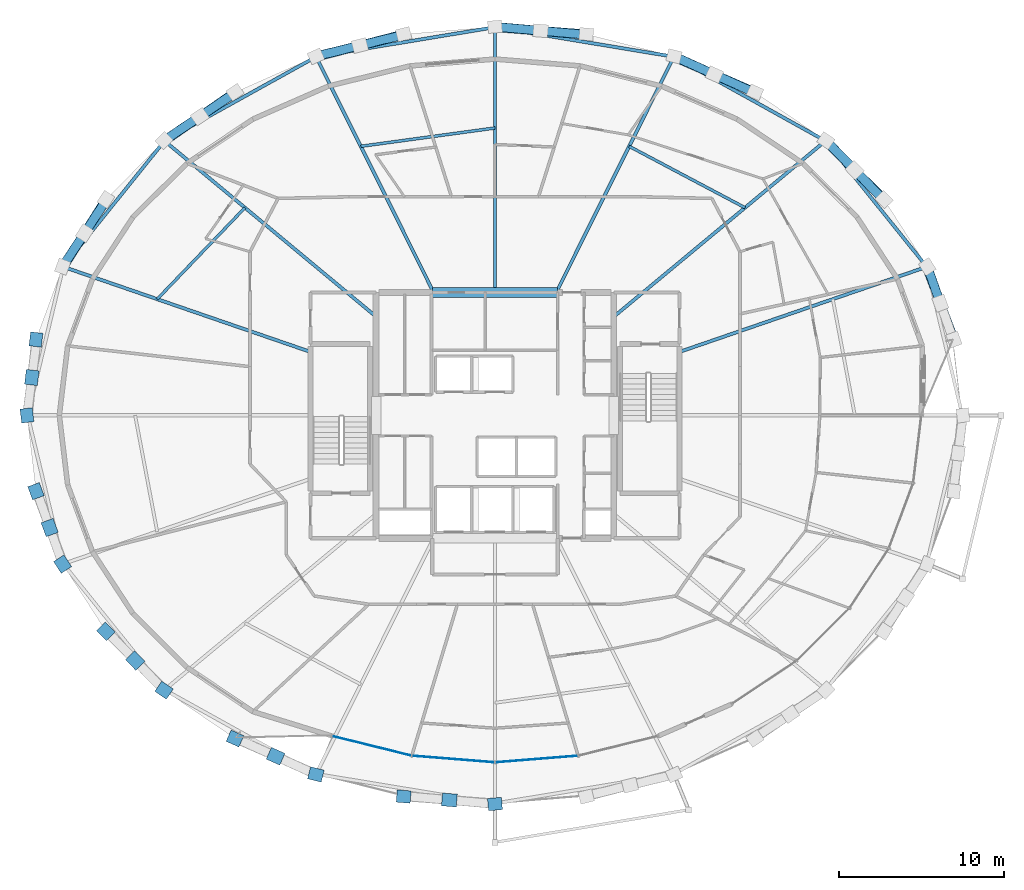
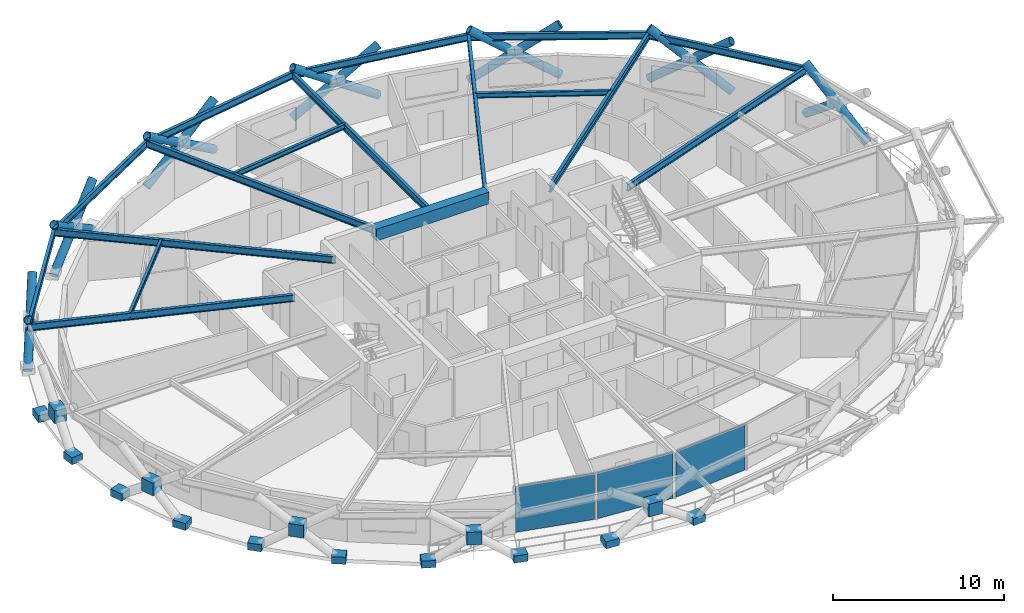
# One storey, part 13 of 22: 20 members, 18 plates, 17 beams, 1 element without a shape of its own.
"""IFC4 building model written with IfcOpenShell, lengths in metres."""

from ifc_helpers import new_model, si_unit, direction, frame, origin, origin_2d, place, context, subcontext, project, spatial, rectangle, hollow_circle, i_section, extrude, material, layer, layer_set, material_profile, profile_set, type_object, element, aggregate, save


model = new_model("IFC4")

# Units and contexts
model_context = context("Model", 3, precision=1e-05, world=origin(), true_north=direction((0.0, 1.0)))
body_context = subcontext(model_context, "Body", "Model", "MODEL_VIEW")
ifc_project = project(units=[si_unit("LENGTHUNIT", "METRE"), si_unit("AREAUNIT", "SQUARE_METRE"), si_unit("VOLUMEUNIT", "CUBIC_METRE"), si_unit("PLANEANGLEUNIT", "RADIAN"), si_unit("MASSUNIT", "GRAM", prefix="KILO")], contexts=[model_context])

# Site, building, storey
site_placement = place(None, origin())
site = spatial("IfcSite", under=ifc_project, at=site_placement, CompositionType="ELEMENT")
building_placement = place(site_placement, origin())
building = spatial("IfcBuilding", under=site, at=building_placement, Name="Veldorina Hangang Commons", CompositionType="ELEMENT")
storey_placement = place(building_placement, frame((0.0, 0.0, 146.0)))
storey = spatial("IfcBuildingStorey", under=building, at=storey_placement, Name="L37", CompositionType="ELEMENT", Elevation=146.0)

# Beams
ifc_material_1 = material(Name="Concrete C60/75", Category="concrete")
ifc_material_profile_1 = material_profile(ifc_material_1, rectangle(XDim=0.60009765625, YDim=0.85009765625, at=origin_2d()), Name="RC-CB-600x850")
ifc_profile_set_1 = profile_set([ifc_material_profile_1], Name="Concrete C60/75")
beam_type_1 = type_object("IfcBeamType", Name="BM-CB850", PredefinedType="LINTEL", material=ifc_profile_set_1)
beam_1_placement = place(storey_placement, frame((28.199951171875, 31.449951171875, 2.925048828125), z_axis=(1.0, 0.0, 0.0), x_axis=(0.0, 1.0, 0.0)))
element("IfcBeam", 1, at=beam_1_placement, inside=storey, type_object=beam_type_1, Name="L37 north core coupling beam", PredefinedType="LINTEL", context=body_context, shape_type="SweptSolid", body=[
    extrude(rectangle(XDim=0.60009765625, YDim=0.85009765625, at=origin_2d()), origin(), (0.0, 0.0, 1.0), 7.60009765625),
])
ifc_material_2 = material(Name="Steel SM420-TMC", Category="steel")
ifc_material_profile_2 = material_profile(ifc_material_2, i_section(OverallWidth=0.199951171875, OverallDepth=0.5, WebThickness=0.010009765625, FlangeThickness=0.01611328125, FilletRadius=0.01611328125, at=origin_2d()), Name="H-500x200x10x16")
ifc_profile_set_2 = profile_set([ifc_material_profile_2], Name="Steel SM420-TMC")
beam_type_2 = type_object("IfcBeamType", Name="BM-FG500", PredefinedType="BEAM", material=ifc_profile_set_2)
beam_2_placement = place(storey_placement, frame((43.179931640625, 27.846435546875, 3.10009765625), z_axis=(0.945598858352, 0.32533490296, 0.0), x_axis=(-0.32533490296, 0.945598858352, 0.0)))
element("IfcBeam", 2, at=beam_2_placement, inside=storey, type_object=beam_type_2, Name="L37 radial floor girder 02", PredefinedType="BEAM", context=body_context, shape_type="SweptSolid", body=[
    extrude(i_section(OverallWidth=0.199951171875, OverallDepth=0.5, WebThickness=0.010009765625, FlangeThickness=0.01611328125, FilletRadius=0.01611328125, at=origin_2d()), origin(), (0.0, 0.0, 1.0), 15.858154296875),
])
beam_3_placement = place(storey_placement, frame((39.199951171875, 29.980224609375, 3.10009765625), z_axis=(0.769255437361, 0.638941368274, 0.0), x_axis=(-0.638941368274, 0.769255437361, 0.0)))
element("IfcBeam", 3, at=beam_3_placement, inside=storey, type_object=beam_type_2, Name="L37 radial floor girder 03", PredefinedType="BEAM", context=body_context, shape_type="SweptSolid", body=[
    extrude(i_section(OverallWidth=0.199951171875, OverallDepth=0.5, WebThickness=0.010009765625, FlangeThickness=0.01611328125, FilletRadius=0.01611328125, at=origin_2d()), origin(), (0.0, 0.0, 1.0), 16.683349609375),
])
beam_4_placement = place(storey_placement, frame((35.71533203125, 31.449951171875, 3.10009765625), z_axis=(0.446283850787, 0.894891459635, 0.0), x_axis=(-0.894891459635, 0.446283850787, 0.0)))
element("IfcBeam", 4, at=beam_4_placement, inside=storey, type_object=beam_type_2, Name="L37 radial floor girder 04", PredefinedType="BEAM", context=body_context, shape_type="SweptSolid", body=[
    extrude(i_section(OverallWidth=0.199951171875, OverallDepth=0.5, WebThickness=0.010009765625, FlangeThickness=0.01611328125, FilletRadius=0.01611328125, at=origin_2d()), origin(), (0.0, 0.0, 1.0), 15.969482421875),
])
beam_5_placement = place(storey_placement, frame((32.0, 31.449951171875, 3.10009765625), z_axis=(0.0, 1.0, 0.0), x_axis=(-1.0, 0.0, 0.0)))
element("IfcBeam", 5, at=beam_5_placement, inside=storey, type_object=beam_type_2, Name="L37 radial floor girder 05", PredefinedType="BEAM", context=body_context, shape_type="SweptSolid", body=[
    extrude(i_section(OverallWidth=0.199951171875, OverallDepth=0.5, WebThickness=0.010009765625, FlangeThickness=0.01611328125, FilletRadius=0.01611328125, at=origin_2d()), origin(), (0.0, 0.0, 1.0), 16.082275390625),
])
beam_6_placement = place(storey_placement, frame((28.28466796875, 31.449951171875, 3.10009765625), z_axis=(-0.446283850787, 0.894891459635, 0.0), x_axis=(-0.894891459635, -0.446283850787, 0.0)))
element("IfcBeam", 6, at=beam_6_placement, inside=storey, type_object=beam_type_2, Name="L37 radial floor girder 06", PredefinedType="BEAM", context=body_context, shape_type="SweptSolid", body=[
    extrude(i_section(OverallWidth=0.199951171875, OverallDepth=0.5, WebThickness=0.010009765625, FlangeThickness=0.01611328125, FilletRadius=0.01611328125, at=origin_2d()), origin(), (0.0, 0.0, 1.0), 15.969482421875),
])
beam_7_placement = place(storey_placement, frame((24.800048828125, 29.980224609375, 3.10009765625), z_axis=(-0.769255437361, 0.638941368274, 0.0), x_axis=(-0.638941368274, -0.769255437361, 0.0)))
element("IfcBeam", 7, at=beam_7_placement, inside=storey, type_object=beam_type_2, Name="L37 radial floor girder 07", PredefinedType="BEAM", context=body_context, shape_type="SweptSolid", body=[
    extrude(i_section(OverallWidth=0.199951171875, OverallDepth=0.5, WebThickness=0.010009765625, FlangeThickness=0.01611328125, FilletRadius=0.01611328125, at=origin_2d()), origin(), (0.0, 0.0, 1.0), 16.683349609375),
])
beam_8_placement = place(storey_placement, frame((20.820068359375, 27.846435546875, 3.10009765625), z_axis=(-0.945598858352, 0.32533490296, 0.0), x_axis=(-0.32533490296, -0.945598858352, 0.0)))
element("IfcBeam", 8, at=beam_8_placement, inside=storey, type_object=beam_type_2, Name="L37 radial floor girder 08", PredefinedType="BEAM", context=body_context, shape_type="SweptSolid", body=[
    extrude(i_section(OverallWidth=0.199951171875, OverallDepth=0.5, WebThickness=0.010009765625, FlangeThickness=0.01611328125, FilletRadius=0.01611328125, at=origin_2d()), origin(), (0.0, 0.0, 1.0), 15.858154296875),
])
ifc_material_3 = material(Name="Steel SM355-TMC", Category="steel")
ifc_material_profile_3 = material_profile(ifc_material_3, i_section(OverallWidth=0.175048828125, OverallDepth=0.35009765625, WebThickness=0.007080078125, FlangeThickness=0.010986328125, FilletRadius=0.012939453125, at=origin_2d()), Name="H-350x175x7x11")
ifc_profile_set_3 = profile_set([ifc_material_profile_3], Name="Steel SM355-TMC")
beam_type_3 = type_object("IfcBeamType", Name="BM-JST350", PredefinedType="JOIST", material=ifc_profile_set_3)
beam_9_placement = place(storey_placement, frame((47.156982421875, 36.58935546875, 3.175048828125), z_axis=(-0.883636189026, 0.468174204163, 0.0), x_axis=(-0.468174204163, -0.883636189026, 0.0)))
element("IfcBeam", 9, at=beam_9_placement, inside=storey, type_object=beam_type_3, Name="L37 secondary floor joist 03", PredefinedType="JOIST", context=body_context, shape_type="SweptSolid", body=[
    extrude(i_section(OverallWidth=0.175048828125, OverallDepth=0.35009765625, WebThickness=0.007080078125, FlangeThickness=0.010986328125, FilletRadius=0.012939453125, at=origin_2d()), origin(), (0.0, 0.0, 1.0), 7.94775390625),
])
beam_10_placement = place(storey_placement, frame((32.0, 41.4208984375, 3.175048828125), z_axis=(-0.990807170996, -0.13528174268, 0.0), x_axis=(0.13528174268, -0.990807170996, 0.0)))
element("IfcBeam", 10, at=beam_10_placement, inside=storey, type_object=beam_type_3, Name="L37 secondary floor joist 05", PredefinedType="JOIST", context=body_context, shape_type="SweptSolid", body=[
    extrude(i_section(OverallWidth=0.175048828125, OverallDepth=0.35009765625, WebThickness=0.007080078125, FlangeThickness=0.010986328125, FilletRadius=0.012939453125, at=origin_2d()), origin(), (0.0, 0.0, 1.0), 8.20947265625),
])
beam_11_placement = place(storey_placement, frame((16.843017578125, 36.58935546875, 3.175048828125), z_axis=(-0.692356542622, -0.721555554263, 0.0), x_axis=(0.721555554263, -0.692356542622, 0.0)))
element("IfcBeam", 11, at=beam_11_placement, inside=storey, type_object=beam_type_3, Name="L37 secondary floor joist 07", PredefinedType="JOIST", context=body_context, shape_type="SweptSolid", body=[
    extrude(i_section(OverallWidth=0.175048828125, OverallDepth=0.35009765625, WebThickness=0.007080078125, FlangeThickness=0.010986328125, FilletRadius=0.012939453125, at=origin_2d()), origin(), (0.0, 0.0, 1.0), 7.68408203125),
])
ifc_material_profile_4 = material_profile(ifc_material_2, i_section(OverallWidth=0.199951171875, OverallDepth=0.5, WebThickness=0.010009765625, FlangeThickness=0.01611328125, FilletRadius=0.01611328125, at=origin_2d()), Name="H-500x200x10x16")
ifc_profile_set_4 = profile_set([ifc_material_profile_4], Name="Steel SM420-TMC")
beam_type_4 = type_object("IfcBeamType", Name="BM-RB500", PredefinedType="BEAM", material=ifc_profile_set_4)
beam_12_placement = place(storey_placement, frame((58.17529296875, 33.005615234375, 3.10009765625), z_axis=(-0.626819817202, 0.779164242483, 0.0), x_axis=(-0.779164242483, -0.626819817202, 0.0)))
element("IfcBeam", 12, at=beam_12_placement, inside=storey, type_object=beam_type_4, Name="L37 perimeter hoop ring beam 02", PredefinedType="BEAM", context=body_context, shape_type="SweptSolid", body=[
    extrude(i_section(OverallWidth=0.199951171875, OverallDepth=0.5, WebThickness=0.010009765625, FlangeThickness=0.01611328125, FilletRadius=0.01611328125, at=origin_2d()), origin(), (0.0, 0.0, 1.0), 9.798095703125),
])
beam_13_placement = place(storey_placement, frame((52.03369140625, 40.639892578125, 3.10009765625), z_axis=(-0.87436972184, 0.485260331708, 0.0), x_axis=(-0.485260331708, -0.87436972184, 0.0)))
element("IfcBeam", 13, at=beam_13_placement, inside=storey, type_object=beam_type_4, Name="L37 perimeter hoop ring beam 04", PredefinedType="BEAM", context=body_context, shape_type="SweptSolid", body=[
    extrude(i_section(OverallWidth=0.199951171875, OverallDepth=0.5, WebThickness=0.010009765625, FlangeThickness=0.01611328125, FilletRadius=0.01611328125, at=origin_2d()), origin(), (0.0, 0.0, 1.0), 10.511962890625),
])
for number, where, z_axis, x_axis, name in (
    (14, (42.84228515625, 45.740966796875, 3.10009765625), (-0.986625904332, 0.163000996624, 0.0), (-0.163000996624, -0.986625904332, 0.0), "L37 perimeter hoop ring beam 06"),
    (15, (32.0, 47.5322265625, 3.10009765625), (-0.986625904332, -0.163000996624, 0.0), (0.163000996624, -0.986625904332, 0.0), "L37 perimeter hoop ring beam 08"),
):
    element("IfcBeam", number, at=place(storey_placement, frame(where, z_axis=z_axis, x_axis=x_axis)), inside=storey, type_object=beam_type_4, Name=name, PredefinedType="BEAM", context=body_context, shape_type="SweptSolid", body=[
        extrude(i_section(OverallWidth=0.199951171875, OverallDepth=0.5, WebThickness=0.010009765625, FlangeThickness=0.01611328125, FilletRadius=0.01611328125, at=origin_2d()), origin(), (0.0, 0.0, 1.0), 10.9892578125),
    ])
beam_14_placement = place(storey_placement, frame((21.15771484375, 45.740966796875, 3.10009765625), z_axis=(-0.87436972184, -0.485260331708, 0.0), x_axis=(0.485260331708, -0.87436972184, 0.0)))
element("IfcBeam", 16, at=beam_14_placement, inside=storey, type_object=beam_type_4, Name="L37 perimeter hoop ring beam 10", PredefinedType="BEAM", context=body_context, shape_type="SweptSolid", body=[
    extrude(i_section(OverallWidth=0.199951171875, OverallDepth=0.5, WebThickness=0.010009765625, FlangeThickness=0.01611328125, FilletRadius=0.01611328125, at=origin_2d()), origin(), (0.0, 0.0, 1.0), 10.511962890625),
])
beam_15_placement = place(storey_placement, frame((11.96630859375, 40.639892578125, 3.10009765625), z_axis=(-0.626819817202, -0.779164242483, 0.0), x_axis=(0.779164242483, -0.626819817202, 0.0)))
element("IfcBeam", 17, at=beam_15_placement, inside=storey, type_object=beam_type_4, Name="L37 perimeter hoop ring beam 12", PredefinedType="BEAM", context=body_context, shape_type="SweptSolid", body=[
    extrude(i_section(OverallWidth=0.199951171875, OverallDepth=0.5, WebThickness=0.010009765625, FlangeThickness=0.01611328125, FilletRadius=0.01611328125, at=origin_2d()), origin(), (0.0, 0.0, 1.0), 9.798095703125),
])

# Members
ifc_material_profile_5 = material_profile(ifc_material_2, hollow_circle(Radius=0.27490234375, WallThickness=0.028076171875, at=origin_2d()), Name="CHS-550x28")
ifc_profile_set_5 = profile_set([ifc_material_profile_5], Name="Steel SM420-TMC")
member_type = type_object("IfcMemberType", Name="DG-CHS550", PredefinedType="BRACE", material=ifc_profile_set_5)
member_1_placement = place(storey_placement, frame((59.825439453125, 28.59619140625, 0.0), z_axis=(-0.27935569244, 0.743657869555, 0.607398855902), x_axis=(-0.936128721787, -0.351657526928, 0.0)))
element("IfcMember", 18, at=member_1_placement, inside=storey, type_object=member_type, Name="L37 continuous perimeter diagrid brace 01", PredefinedType="BRACE", context=body_context, shape_type="SweptSolid", body=[
    extrude(hollow_circle(Radius=0.27490234375, WallThickness=0.028076171875, at=origin_2d()), origin(), (0.0, 0.0, 1.0), 5.927001953125),
])
member_2_placement = place(storey_placement, frame((58.2109375, 33.015869140625, 0.0), z_axis=(0.265442903546, -0.747923931396, 0.608399422915), x_axis=(0.942407673637, 0.334466405892, 0.0)))
element("IfcMember", 19, at=member_2_placement, inside=storey, type_object=member_type, Name="L37 split perimeter diagrid lower brace 02", PredefinedType="BRACE", context=body_context, shape_type="SweptSolid", body=[
    extrude(hollow_circle(Radius=0.27490234375, WallThickness=0.028076171875, at=origin_2d()), origin(), (0.0, 0.0, 1.0), 2.960693359375),
])
member_3_placement = place(storey_placement, frame((55.589111328125, 37.0888671875, 0.0), z_axis=(-0.575811982337, 0.57387694447, 0.582327926174), x_axis=(-0.705915652093, -0.708295907182, 0.0)))
element("IfcMember", 20, at=member_3_placement, inside=storey, type_object=member_type, Name="L37 continuous perimeter diagrid brace 03", PredefinedType="BRACE", context=body_context, shape_type="SweptSolid", body=[
    extrude(hollow_circle(Radius=0.27490234375, WallThickness=0.028076171875, at=origin_2d()), origin(), (0.0, 0.0, 1.0), 6.182373046875),
])
member_4_placement = place(storey_placement, frame((52.06103515625, 40.658935546875, 0.0), z_axis=(0.566271238498, -0.581781182985, 0.5838386246), x_axis=(0.716594252296, 0.697490270597, 0.0)))
element("IfcMember", 21, at=member_4_placement, inside=storey, type_object=member_type, Name="L37 split perimeter diagrid lower brace 04", PredefinedType="BRACE", context=body_context, shape_type="SweptSolid", body=[
    extrude(hollow_circle(Radius=0.27490234375, WallThickness=0.028076171875, at=origin_2d()), origin(), (0.0, 0.0, 1.0), 3.085205078125),
])
member_5_placement = place(storey_placement, frame((53.80810546875, 38.864013671875, 1.80126953125), z_axis=(0.566094430147, -0.581865505549, 0.583926048064), x_axis=(0.716753623988, 0.697326496342, 0.0)))
element("IfcMember", 22, at=member_5_placement, inside=storey, type_object=member_type, Name="L37 split perimeter diagrid upper brace 04", PredefinedType="BRACE", context=body_context, shape_type="SweptSolid", body=[
    extrude(hollow_circle(Radius=0.27490234375, WallThickness=0.028076171875, at=origin_2d()), origin(), (0.0, 0.0, 1.0), 3.08056640625),
])
member_6_placement = place(storey_placement, frame((47.76171875, 43.5888671875, 0.0), z_axis=(-0.761273873563, 0.332264326065, 0.556832566446), x_axis=(-0.400017362617, -0.916507561128, 0.0)))
element("IfcMember", 23, at=member_6_placement, inside=storey, type_object=member_type, Name="L37 continuous perimeter diagrid brace 05", PredefinedType="BRACE", context=body_context, shape_type="SweptSolid", body=[
    extrude(hollow_circle(Radius=0.27490234375, WallThickness=0.028076171875, at=origin_2d()), origin(), (0.0, 0.0, 1.0), 6.46533203125),
])
member_7_placement = place(storey_placement, frame((42.85693359375, 45.76611328125, 0.0), z_axis=(0.756350586302, -0.341424004914, 0.557999497732), x_axis=(0.411432897508, 0.911440053349, 0.0)))
element("IfcMember", 24, at=member_7_placement, inside=storey, type_object=member_type, Name="L37 split perimeter diagrid lower brace 06", PredefinedType="BRACE", context=body_context, shape_type="SweptSolid", body=[
    extrude(hollow_circle(Radius=0.27490234375, WallThickness=0.028076171875, at=origin_2d()), origin(), (0.0, 0.0, 1.0), 3.228515625),
])
member_8_placement = place(storey_placement, frame((45.298828125, 44.663818359375, 1.801513671875), z_axis=(0.756345783216, -0.341555970993, 0.557925241309), x_axis=(0.411567161717, 0.911379433275, 0.0)))
element("IfcMember", 25, at=member_8_placement, inside=storey, type_object=member_type, Name="L37 split perimeter diagrid upper brace 06", PredefinedType="BRACE", context=body_context, shape_type="SweptSolid", body=[
    extrude(hollow_circle(Radius=0.27490234375, WallThickness=0.028076171875, at=origin_2d()), origin(), (0.0, 0.0, 1.0), 3.2236328125),
])
member_9_placement = place(storey_placement, frame((37.534912109375, 47.106689453125, 0.0), z_axis=(-0.836575195499, 0.063690564485, 0.54413734872), x_axis=(-0.075912820592, -0.99711445866, 0.0)))
element("IfcMember", 26, at=member_9_placement, inside=storey, type_object=member_type, Name="L37 continuous perimeter diagrid brace 07", PredefinedType="BRACE", context=body_context, shape_type="SweptSolid", body=[
    extrude(hollow_circle(Radius=0.27490234375, WallThickness=0.028076171875, at=origin_2d()), origin(), (0.0, 0.0, 1.0), 6.6162109375),
])
member_10_placement = place(storey_placement, frame((32.0, 47.559326171875, 0.0), z_axis=(0.835622568837, -0.073115130295, 0.544416293082), x_axis=(0.087164768079, 0.996193908436, 0.0)))
element("IfcMember", 27, at=member_10_placement, inside=storey, type_object=member_type, Name="L37 split perimeter diagrid lower brace 08", PredefinedType="BRACE", context=body_context, shape_type="SweptSolid", body=[
    extrude(hollow_circle(Radius=0.27490234375, WallThickness=0.028076171875, at=origin_2d()), origin(), (0.0, 0.0, 1.0), 3.30908203125),
])
member_11_placement = place(storey_placement, frame((34.76513671875, 47.3173828125, 1.801513671875), z_axis=(0.835655953152, -0.073080178413, 0.544369741522), x_axis=(0.087119962131, 0.996197827843, 0.0)))
element("IfcMember", 28, at=member_11_placement, inside=storey, type_object=member_type, Name="L37 split perimeter diagrid upper brace 08", PredefinedType="BRACE", context=body_context, shape_type="SweptSolid", body=[
    extrude(hollow_circle(Radius=0.27490234375, WallThickness=0.028076171875, at=origin_2d()), origin(), (0.0, 0.0, 1.0), 3.303955078125),
])
member_12_placement = place(storey_placement, frame((26.465087890625, 47.106689453125, 0.0), z_axis=(-0.809193179875, -0.208917747669, 0.549144582376), x_axis=(0.249983136322, -0.968250190578, 0.0)))
element("IfcMember", 29, at=member_12_placement, inside=storey, type_object=member_type, Name="L37 continuous perimeter diagrid brace 09", PredefinedType="BRACE", context=body_context, shape_type="SweptSolid", body=[
    extrude(hollow_circle(Radius=0.27490234375, WallThickness=0.028076171875, at=origin_2d()), origin(), (0.0, 0.0, 1.0), 6.555908203125),
])
member_13_placement = place(storey_placement, frame((21.14306640625, 45.76611328125, 0.0), z_axis=(0.812053707218, 0.199483081656, 0.548429828443), x_axis=(-0.238560030043, 0.971127752701, 0.0)))
element("IfcMember", 30, at=member_13_placement, inside=storey, type_object=member_type, Name="L37 split perimeter diagrid lower brace 10", PredefinedType="BRACE", context=body_context, shape_type="SweptSolid", body=[
    extrude(hollow_circle(Radius=0.27490234375, WallThickness=0.028076171875, at=origin_2d()), origin(), (0.0, 0.0, 1.0), 3.284912109375),
])
member_14_placement = place(storey_placement, frame((23.810546875, 46.42138671875, 1.801513671875), z_axis=(0.812056722567, 0.199571369805, 0.548393241833), x_axis=(-0.238658764744, 0.971103492946, 0.0)))
element("IfcMember", 31, at=member_14_placement, inside=storey, type_object=member_type, Name="L37 split perimeter diagrid upper brace 10", PredefinedType="BRACE", context=body_context, shape_type="SweptSolid", body=[
    extrude(hollow_circle(Radius=0.27490234375, WallThickness=0.028076171875, at=origin_2d()), origin(), (0.0, 0.0, 1.0), 3.27978515625),
])
member_15_placement = place(storey_placement, frame((16.23828125, 43.5888671875, 0.0), z_axis=(-0.675709102739, -0.467429889606, 0.570023251086), x_axis=(0.568906573429, -0.822402158745, 0.0)))
element("IfcMember", 32, at=member_15_placement, inside=storey, type_object=member_type, Name="L37 continuous perimeter diagrid brace 11", PredefinedType="BRACE", context=body_context, shape_type="SweptSolid", body=[
    extrude(hollow_circle(Radius=0.27490234375, WallThickness=0.028076171875, at=origin_2d()), origin(), (0.0, 0.0, 1.0), 6.315673828125),
])
member_16_placement = place(storey_placement, frame((11.93896484375, 40.658935546875, 0.0), z_axis=(0.682948616332, 0.458561121041, 0.568597296617), x_axis=(-0.557442489081, 0.83021555717, 0.0)))
element("IfcMember", 33, at=member_16_placement, inside=storey, type_object=member_type, Name="L37 split perimeter diagrid lower brace 12", PredefinedType="BRACE", context=body_context, shape_type="SweptSolid", body=[
    extrude(hollow_circle(Radius=0.27490234375, WallThickness=0.028076171875, at=origin_2d()), origin(), (0.0, 0.0, 1.0), 3.16845703125),
])
member_17_placement = place(storey_placement, frame((14.102783203125, 42.11181640625, 1.801513671875), z_axis=(0.682883898636, 0.458677555334, 0.568581112257), x_axis=(-0.55757644826, 0.830125595525, 0.0)))
element("IfcMember", 34, at=member_17_placement, inside=storey, type_object=member_type, Name="L37 split perimeter diagrid upper brace 12", PredefinedType="BRACE", context=body_context, shape_type="SweptSolid", body=[
    extrude(hollow_circle(Radius=0.27490234375, WallThickness=0.028076171875, at=origin_2d()), origin(), (0.0, 0.0, 1.0), 3.163330078125),
])
member_18_placement = place(storey_placement, frame((8.410888671875, 37.0888671875, 0.0), z_axis=(-0.428272573947, -0.677942924057, 0.59747468074), x_axis=(0.845433667957, -0.534080436906, 0.0)))
element("IfcMember", 35, at=member_18_placement, inside=storey, type_object=member_type, Name="L37 continuous perimeter diagrid brace 13", PredefinedType="BRACE", context=body_context, shape_type="SweptSolid", body=[
    extrude(hollow_circle(Radius=0.27490234375, WallThickness=0.028076171875, at=origin_2d()), origin(), (0.0, 0.0, 1.0), 6.025634765625),
])
member_19_placement = place(storey_placement, frame((5.7890625, 33.015869140625, 0.0), z_axis=(0.440304168589, 0.671443659659, 0.596066817587), x_axis=(-0.836236803459, 0.548368497035, 0.0)))
element("IfcMember", 36, at=member_19_placement, inside=storey, type_object=member_type, Name="L37 split perimeter diagrid lower brace 14", PredefinedType="BRACE", context=body_context, shape_type="SweptSolid", body=[
    extrude(hollow_circle(Radius=0.27490234375, WallThickness=0.028076171875, at=origin_2d()), origin(), (0.0, 0.0, 1.0), 3.02197265625),
])
member_20_placement = place(storey_placement, frame((7.11962890625, 35.044921875, 1.80126953125), z_axis=(0.440168715127, 0.671538412841, 0.596060116349), x_axis=(-0.836349630304, 0.548196402661, 0.0)))
element("IfcMember", 37, at=member_20_placement, inside=storey, type_object=member_type, Name="L37 split perimeter diagrid upper brace 14", PredefinedType="BRACE", context=body_context, shape_type="SweptSolid", body=[
    extrude(hollow_circle(Radius=0.27490234375, WallThickness=0.028076171875, at=origin_2d()), origin(), (0.0, 0.0, 1.0), 3.017822265625),
])

# Curtain wall, plates
ifc_material_4 = material(Name="Glass Low-E Triple IGU", Category="glass")
ifc_layer_1 = layer(ifc_material_4, 0.179931640625)
ifc_layer_set_1 = layer_set([ifc_layer_1], Name="Glass Low-E Triple IGU")
curtain_wall_type = type_object("IfcCurtainWallType", Name="CW-SYS-Z2", PredefinedType="NOTDEFINED", material=ifc_layer_set_1)
curtain_wall_placement = place(storey_placement, origin())
curtain_wall = element("IfcCurtainWall", 38, at=curtain_wall_placement, inside=storey, type_object=curtain_wall_type, Name="L37 unitised curtain wall CW-L37-R1", PredefinedType="NOTDEFINED")
ifc_layer_2 = layer(ifc_material_4, 0.0400390625)
ifc_layer_set_2 = layer_set([ifc_layer_2], Name="Glass Low-E Triple IGU")
plate_type_1 = type_object("IfcPlateType", Name="CW-PNL-VIS", PredefinedType="CURTAIN_PANEL", material=ifc_layer_set_2)
plate_1_placement = place(storey_placement, frame((24.531982421875, 3.963623046875, 0.01513671875), z_axis=(0.0, 0.0, 1.0), x_axis=(0.970850498824, -0.23968585468, 0.0)))
plate_1 = element("IfcPlate", 39, at=plate_1_placement, type_object=plate_type_1, Name="CW-L37-R1 facet 1 glazed vision panel", PredefinedType="CURTAIN_PANEL", context=body_context, shape_type="SweptSolid", body=[
    extrude(rectangle(XDim=4.81494140625, YDim=0.0400390625, at=origin_2d()), origin(), (0.0, 0.0, 1.0), 3.280029296875),
])
plate_2_placement = place(storey_placement, frame((29.478515625, 3.162841796875, 0.01513671875), z_axis=(0.0, 0.0, 1.0), x_axis=(0.99680263008, -0.079903170556, 0.0)))
plate_2 = element("IfcPlate", 40, at=plate_2_placement, type_object=plate_type_1, Name="CW-L37-R1 facet 2 glazed vision panel", PredefinedType="CURTAIN_PANEL", context=body_context, shape_type="SweptSolid", body=[
    extrude(rectangle(XDim=4.87939453125, YDim=0.0400390625, at=origin_2d()), origin(), (0.0, 0.0, 1.0), 3.280029296875),
])
plate_3_placement = place(storey_placement, frame((34.521484375, 3.162841796875, 0.01513671875), z_axis=(0.0, 0.0, 1.0), x_axis=(0.99680263008, 0.079903170556, 0.0)))
plate_3 = element("IfcPlate", 41, at=plate_3_placement, type_object=plate_type_1, Name="CW-L37-R1 facet 3 glazed vision panel", PredefinedType="CURTAIN_PANEL", context=body_context, shape_type="SweptSolid", body=[
    extrude(rectangle(XDim=4.87939453125, YDim=0.0400390625, at=origin_2d()), origin(), (0.0, 0.0, 1.0), 3.280029296875),
])
aggregate(curtain_wall, [plate_1, plate_2, plate_3])

# Plates
ifc_material_5 = material(Name="Steel SM460-TMC", Category="steel")
ifc_layer_3 = layer(ifc_material_5, 0.035888671875)
ifc_layer_set_3 = layer_set([ifc_layer_3], Name="Steel SM460-TMC")
plate_type_2 = type_object("IfcPlateType", Name="PL-STAR-36", PredefinedType="USERDEFINED", material=ifc_layer_set_3)
plate_4_placement = place(storey_placement, frame((4.174560546875, 28.59619140625, -0.090087890625), z_axis=(0.0, 0.0, 1.0), x_axis=(-0.117780046346, -0.993039707506, 0.0)))
element("IfcPlate", 42, at=plate_4_placement, inside=storey, type_object=plate_type_2, Name="L37 diagrid star-node gusset plate 15", ObjectType="GUSSET PLATE", PredefinedType="USERDEFINED", context=body_context, shape_type="SweptSolid", body=[
    extrude(rectangle(XDim=0.85009765625, YDim=0.75, at=origin_2d()), origin(), (0.0, 0.0, 1.0), 0.5),
])
plate_5_placement = place(storey_placement, frame((3.92431640625, 26.296630859375, 1.351318359375), z_axis=(0.0, 0.0, 1.0), x_axis=(-0.117780046346, -0.993039707506, 0.0)))
element("IfcPlate", 43, at=plate_5_placement, inside=storey, type_object=plate_type_2, Name="L37 diagrid X-crossing star-node gusset plate 15", ObjectType="GUSSET PLATE", PredefinedType="USERDEFINED", context=body_context, shape_type="SweptSolid", body=[
    extrude(rectangle(XDim=0.89990234375, YDim=0.780029296875, at=origin_2d()), origin(), (0.0, 0.0, 1.0), 0.89990234375),
])
for number, where, z_axis, x_axis, name in (
    (44, (3.62939453125, 24.0, -0.090087890625), (0.0, 0.0, 1.0), (0.117780046346, -0.993039707506, 0.0), "L37 diagrid star-node gusset plate 16"),
    (45, (4.174560546875, 19.40380859375, -0.090087890625), (0.0, 0.0, 1.0), (0.343118758154, -0.939292030097, 0.0), "L37 diagrid star-node gusset plate 17"),
):
    element("IfcPlate", number, at=place(storey_placement, frame(where, z_axis=z_axis, x_axis=x_axis)), inside=storey, type_object=plate_type_2, Name=name, ObjectType="GUSSET PLATE", PredefinedType="USERDEFINED", context=body_context, shape_type="SweptSolid", body=[
        extrude(rectangle(XDim=0.85009765625, YDim=0.75, at=origin_2d()), origin(), (0.0, 0.0, 1.0), 0.5),
    ])
plate_6_placement = place(storey_placement, frame((5.003173828125, 17.198486328125, 1.351318359375), z_axis=(0.0, 0.0, 1.0), x_axis=(0.343118758154, -0.939292030097, 0.0)))
element("IfcPlate", 46, at=plate_6_placement, inside=storey, type_object=plate_type_2, Name="L37 diagrid X-crossing star-node gusset plate 17", ObjectType="GUSSET PLATE", PredefinedType="USERDEFINED", context=body_context, shape_type="SweptSolid", body=[
    extrude(rectangle(XDim=0.89990234375, YDim=0.780029296875, at=origin_2d()), origin(), (0.0, 0.0, 1.0), 0.89990234375),
])
for number, where, z_axis, x_axis, name in (
    (47, (5.7890625, 14.984130859375, -0.090087890625), (0.0, 0.0, 1.0), (0.541238664866, -0.840869019321, 0.0), "L37 diagrid star-node gusset plate 18"),
    (48, (8.410888671875, 10.9111328125, -0.090087890625), (0.0, 0.0, 1.0), (0.702923128081, -0.711265826543, 0.0), "L37 diagrid star-node gusset plate 19"),
):
    element("IfcPlate", number, at=place(storey_placement, frame(where, z_axis=z_axis, x_axis=x_axis)), inside=storey, type_object=plate_type_2, Name=name, ObjectType="GUSSET PLATE", PredefinedType="USERDEFINED", context=body_context, shape_type="SweptSolid", body=[
        extrude(rectangle(XDim=0.85009765625, YDim=0.75, at=origin_2d()), origin(), (0.0, 0.0, 1.0), 0.5),
    ])
plate_7_placement = place(storey_placement, frame((10.19189453125, 9.135986328125, 1.351318359375), z_axis=(0.0, 0.0, 1.0), x_axis=(0.702923128081, -0.711265826543, 0.0)))
element("IfcPlate", 49, at=plate_7_placement, inside=storey, type_object=plate_type_2, Name="L37 diagrid X-crossing star-node gusset plate 19", ObjectType="GUSSET PLATE", PredefinedType="USERDEFINED", context=body_context, shape_type="SweptSolid", body=[
    extrude(rectangle(XDim=0.89990234375, YDim=0.780029296875, at=origin_2d()), origin(), (0.0, 0.0, 1.0), 0.89990234375),
])
for number, where, z_axis, x_axis, name in (
    (50, (11.93896484375, 7.341064453125, -0.090087890625), (0.0, 0.0, 1.0), (0.826353929441, -0.563151119415, 0.0), "L37 diagrid star-node gusset plate 20"),
    (51, (16.23828125, 4.4111328125, -0.090087890625), (0.0, 0.0, 1.0), (0.913999216818, -0.405715949472, 0.0), "L37 diagrid star-node gusset plate 21"),
):
    element("IfcPlate", number, at=place(storey_placement, frame(where, z_axis=z_axis, x_axis=x_axis)), inside=storey, type_object=plate_type_2, Name=name, ObjectType="GUSSET PLATE", PredefinedType="USERDEFINED", context=body_context, shape_type="SweptSolid", body=[
        extrude(rectangle(XDim=0.85009765625, YDim=0.75, at=origin_2d()), origin(), (0.0, 0.0, 1.0), 0.5),
    ])
plate_8_placement = place(storey_placement, frame((18.701171875, 3.336181640625, 1.3515625), z_axis=(0.0, 0.0, 1.0), x_axis=(0.913999216818, -0.405715949472, 0.0)))
element("IfcPlate", 52, at=plate_8_placement, inside=storey, type_object=plate_type_2, Name="L37 diagrid X-crossing star-node gusset plate 21", ObjectType="GUSSET PLATE", PredefinedType="USERDEFINED", context=body_context, shape_type="SweptSolid", body=[
    extrude(rectangle(XDim=0.89990234375, YDim=0.780029296875, at=origin_2d()), origin(), (0.0, 0.0, 1.0), 0.89990234375),
])
for number, where, z_axis, x_axis, name in (
    (53, (21.14306640625, 2.23388671875, -0.090087890625), (0.0, 0.0, 1.0), (0.969710230395, -0.244258201639, 0.0), "L37 diagrid star-node gusset plate 22"),
    (54, (26.465087890625, 0.893310546875, -0.090087890625), (0.0, 0.0, 1.0), (0.996671621704, -0.081521030961, 0.0), "L37 diagrid star-node gusset plate 23"),
):
    element("IfcPlate", number, at=place(storey_placement, frame(where, z_axis=z_axis, x_axis=x_axis)), inside=storey, type_object=plate_type_2, Name=name, ObjectType="GUSSET PLATE", PredefinedType="USERDEFINED", context=body_context, shape_type="SweptSolid", body=[
        extrude(rectangle(XDim=0.85009765625, YDim=0.75, at=origin_2d()), origin(), (0.0, 0.0, 1.0), 0.5),
    ])
plate_9_placement = place(storey_placement, frame((29.23486328125, 0.6826171875, 1.3515625), z_axis=(0.0, 0.0, 1.0), x_axis=(0.996671621704, -0.081521030961, 0.0)))
element("IfcPlate", 55, at=plate_9_placement, inside=storey, type_object=plate_type_2, Name="L37 diagrid X-crossing star-node gusset plate 23", ObjectType="GUSSET PLATE", PredefinedType="USERDEFINED", context=body_context, shape_type="SweptSolid", body=[
    extrude(rectangle(XDim=0.89990234375, YDim=0.780029296875, at=origin_2d()), origin(), (0.0, 0.0, 1.0), 0.89990234375),
])
plate_10_placement = place(storey_placement, frame((32.0, 0.440673828125, -0.090087890625), z_axis=(0.0, 0.0, 1.0), x_axis=(0.996671621704, 0.081521030961, 0.0)))
element("IfcPlate", 56, at=plate_10_placement, inside=storey, type_object=plate_type_2, Name="L37 diagrid star-node gusset plate 24", ObjectType="GUSSET PLATE", PredefinedType="USERDEFINED", context=body_context, shape_type="SweptSolid", body=[
    extrude(rectangle(XDim=0.85009765625, YDim=0.75, at=origin_2d()), origin(), (0.0, 0.0, 1.0), 0.5),
])

save(model, "model.ifc")
